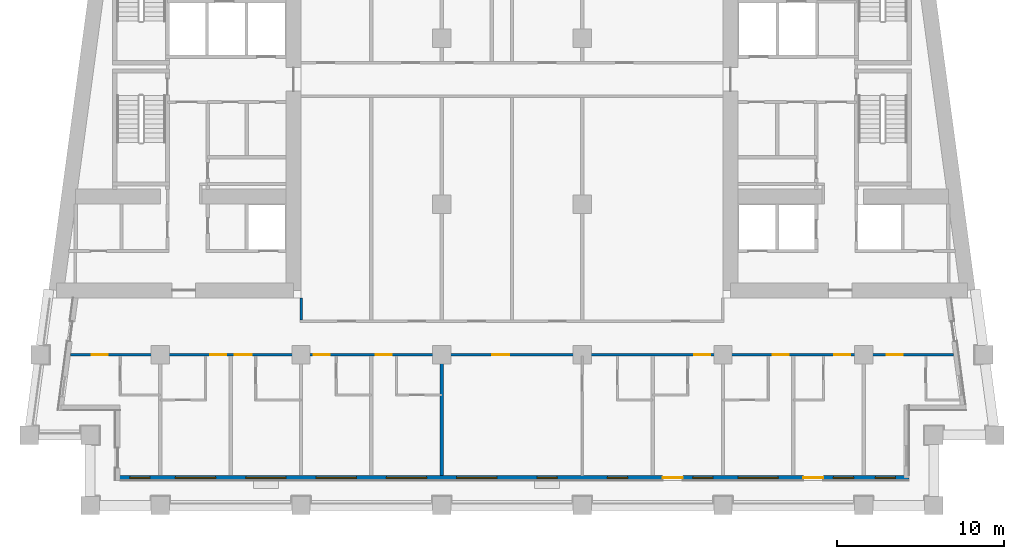
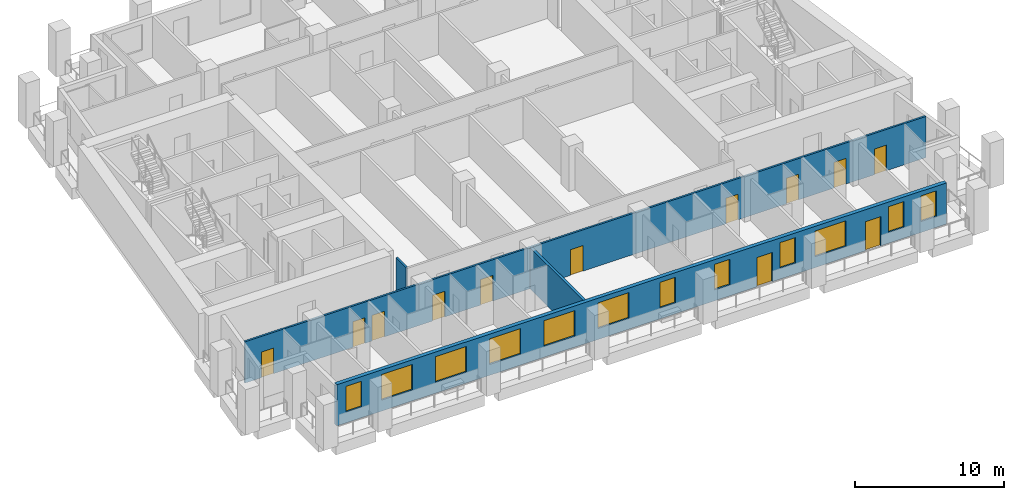
# One storey, part 3 of 14: 12 doors, 12 windows, 4 walls, 24 openings.
"""IFC4 building model written with IfcOpenShell, lengths in metres."""

from ifc_helpers import new_model, si_unit, direction, frame, frame_2d, origin, place, context, subcontext, project, spatial, rectangle, extrude, material, layer, layer_set, type_object, element, fill, save


model = new_model("IFC4")

# Units and contexts
model_context = context("Model", 3, precision=1e-05, world=origin(), true_north=direction((0.0, 1.0)))
body_context = subcontext(model_context, "Body", "Model", "MODEL_VIEW")
ifc_project = project(units=[si_unit("LENGTHUNIT", "METRE"), si_unit("AREAUNIT", "SQUARE_METRE"), si_unit("VOLUMEUNIT", "CUBIC_METRE"), si_unit("PLANEANGLEUNIT", "RADIAN"), si_unit("MASSUNIT", "GRAM", prefix="KILO")], contexts=[model_context])

# Site, building, storey
site_placement = place(None, origin())
site = spatial("IfcSite", under=ifc_project, at=site_placement, CompositionType="ELEMENT")
building_placement = place(site_placement, origin())
building = spatial("IfcBuilding", under=site, at=building_placement, Name="Candeia Pilgrim Tower and Theatre", CompositionType="ELEMENT")
storey_placement = place(building_placement, frame((0.0, 0.0, 173.699951171875)))
storey = spatial("IfcBuildingStorey", under=building, at=storey_placement, Name="L41", CompositionType="ELEMENT", Elevation=173.699951171875)

# Wall, openings, doors, windows
ifc_material_1 = material(Name="Ceramic block masonry", Category="masonry")
ifc_layer_1 = layer(ifc_material_1, 0.300048828125)
ifc_layer_set_1 = layer_set([ifc_layer_1], Name="EW1 glazing-line wall 300")
wall_type_1 = type_object("IfcWallType", Name="EW1 glazing-line wall 300", PredefinedType="SOLIDWALL", material=ifc_layer_set_1)
wall_1_placement = place(storey_placement, frame((89.85009765625, 99.64990234375, 0.0), z_axis=(0.0, 0.0, 1.0), x_axis=(1.0, 0.0, 0.0)))
wall_1 = element("IfcWall", 1, at=wall_1_placement, inside=storey, type_object=wall_type_1, Name="External wall L41-0.0", PredefinedType="SOLIDWALL", context=body_context, shape_type="SweptSolid", body=[
    extrude(rectangle(XDim=47.25, YDim=0.300048828125, at=frame_2d((23.625, 0.0))), origin(), (0.0, 0.0, 1.0), 3.380126953125),
])
opening_1_placement = place(wall_1_placement, frame((0.72509765625, 0.0, 0.89990234375)))
opening_1 = element("IfcOpeningElement", 2, at=opening_1_placement, cuts=wall_1, Name="Opening W-B", PredefinedType="OPENING", context=body_context, shape_type="SweptSolid", body=[
    extrude(rectangle(XDim=1.199951171875, YDim=2.10009765625, at=frame_2d((0.60009765625, 1.050048828125))), frame((0.0, 0.16015625, 0.0), z_axis=(0.0, -1.0, 0.0), x_axis=(1.0, 0.0, 0.0)), (0.0, 0.0, 1.0), 0.320068359375),
])
opening_2_placement = place(wall_1_placement, frame((3.449951171875, 0.0, 0.89990234375)))
opening_2 = element("IfcOpeningElement", 3, at=opening_2_placement, cuts=wall_1, Name="Opening W-A", PredefinedType="OPENING", context=body_context, shape_type="SweptSolid", body=[
    extrude(rectangle(XDim=2.39990234375, YDim=2.10009765625, at=frame_2d((1.199951171875, 1.050048828125))), frame((0.0, 0.16015625, 0.0), z_axis=(0.0, -1.0, 0.0), x_axis=(1.0, 0.0, 0.0)), (0.0, 0.0, 1.0), 0.320068359375),
])
opening_3_placement = place(wall_1_placement, frame((7.64990234375, 0.0, 0.89990234375)))
opening_3 = element("IfcOpeningElement", 4, at=opening_3_placement, cuts=wall_1, Name="Opening W-A", PredefinedType="OPENING", context=body_context, shape_type="SweptSolid", body=[
    extrude(rectangle(XDim=2.39990234375, YDim=2.10009765625, at=frame_2d((1.199951171875, 1.050048828125))), frame((0.0, 0.16015625, 0.0), z_axis=(0.0, -1.0, 0.0), x_axis=(1.0, 0.0, 0.0)), (0.0, 0.0, 1.0), 0.320068359375),
])
opening_4_placement = place(wall_1_placement, frame((11.85009765625, 0.0, 0.89990234375)))
opening_4 = element("IfcOpeningElement", 5, at=opening_4_placement, cuts=wall_1, Name="Opening W-A", PredefinedType="OPENING", context=body_context, shape_type="SweptSolid", body=[
    extrude(rectangle(XDim=2.39990234375, YDim=2.10009765625, at=frame_2d((1.199951171875, 1.050048828125))), frame((0.0, 0.16015625, 0.0), z_axis=(0.0, -1.0, 0.0), x_axis=(1.0, 0.0, 0.0)), (0.0, 0.0, 1.0), 0.320068359375),
])
opening_5_placement = place(wall_1_placement, frame((16.050048828125, 0.0, 0.89990234375)))
opening_5 = element("IfcOpeningElement", 6, at=opening_5_placement, cuts=wall_1, Name="Opening W-A", PredefinedType="OPENING", context=body_context, shape_type="SweptSolid", body=[
    extrude(rectangle(XDim=2.39990234375, YDim=2.10009765625, at=frame_2d((1.199951171875, 1.050048828125))), frame((0.0, 0.16015625, 0.0), z_axis=(0.0, -1.0, 0.0), x_axis=(1.0, 0.0, 0.0)), (0.0, 0.0, 1.0), 0.320068359375),
])
opening_6_placement = place(wall_1_placement, frame((20.25, 0.0, 0.89990234375)))
opening_6 = element("IfcOpeningElement", 7, at=opening_6_placement, cuts=wall_1, Name="Opening W-A", PredefinedType="OPENING", context=body_context, shape_type="SweptSolid", body=[
    extrude(rectangle(XDim=2.39990234375, YDim=2.10009765625, at=frame_2d((1.199951171875, 1.050048828125))), frame((0.0, 0.16015625, 0.0), z_axis=(0.0, -1.0, 0.0), x_axis=(1.0, 0.0, 0.0)), (0.0, 0.0, 1.0), 0.320068359375),
])
opening_7_placement = place(wall_1_placement, frame((25.050048828125, 0.0, 0.89990234375)))
opening_7 = element("IfcOpeningElement", 8, at=opening_7_placement, cuts=wall_1, Name="Opening W-B", PredefinedType="OPENING", context=body_context, shape_type="SweptSolid", body=[
    extrude(rectangle(XDim=1.199951171875, YDim=2.10009765625, at=frame_2d((0.60009765625, 1.050048828125))), frame((0.0, 0.16015625, 0.0), z_axis=(0.0, -1.0, 0.0), x_axis=(1.0, 0.0, 0.0)), (0.0, 0.0, 1.0), 0.320068359375),
])
opening_8_placement = place(wall_1_placement, frame((29.25, 0.0, 0.89990234375)))
opening_8 = element("IfcOpeningElement", 9, at=opening_8_placement, cuts=wall_1, Name="Opening W-B", PredefinedType="OPENING", context=body_context, shape_type="SweptSolid", body=[
    extrude(rectangle(XDim=1.199951171875, YDim=2.10009765625, at=frame_2d((0.60009765625, 1.050048828125))), frame((0.0, 0.16015625, 0.0), z_axis=(0.0, -1.0, 0.0), x_axis=(1.0, 0.0, 0.0)), (0.0, 0.0, 1.0), 0.320068359375),
])
opening_9_placement = place(wall_1_placement, frame((32.550048828125, 0.0, 0.0)))
opening_9 = element("IfcOpeningElement", 10, at=opening_9_placement, cuts=wall_1, Name="Opening L41-ED392", PredefinedType="OPENING", context=body_context, shape_type="SweptSolid", body=[
    extrude(rectangle(XDim=1.199951171875, YDim=2.39990234375, at=frame_2d((0.60009765625, 1.199951171875))), frame((0.0, 0.16015625, 0.0), z_axis=(0.0, -1.0, 0.0), x_axis=(1.0, 0.0, 0.0)), (0.0, 0.0, 1.0), 0.320068359375),
])
opening_10_placement = place(wall_1_placement, frame((34.35009765625, 0.0, 0.89990234375)))
opening_10 = element("IfcOpeningElement", 11, at=opening_10_placement, cuts=wall_1, Name="Opening W-B", PredefinedType="OPENING", context=body_context, shape_type="SweptSolid", body=[
    extrude(rectangle(XDim=1.199951171875, YDim=2.10009765625, at=frame_2d((0.60009765625, 1.050048828125))), frame((0.0, 0.16015625, 0.0), z_axis=(0.0, -1.0, 0.0), x_axis=(1.0, 0.0, 0.0)), (0.0, 0.0, 1.0), 0.320068359375),
])
opening_11_placement = place(wall_1_placement, frame((37.050048828125, 0.0, 0.89990234375)))
opening_11 = element("IfcOpeningElement", 12, at=opening_11_placement, cuts=wall_1, Name="Opening W-A", PredefinedType="OPENING", context=body_context, shape_type="SweptSolid", body=[
    extrude(rectangle(XDim=2.39990234375, YDim=2.10009765625, at=frame_2d((1.199951171875, 1.050048828125))), frame((0.0, 0.16015625, 0.0), z_axis=(0.0, -1.0, 0.0), x_axis=(1.0, 0.0, 0.0)), (0.0, 0.0, 1.0), 0.320068359375),
])
opening_12_placement = place(wall_1_placement, frame((40.949951171875, 0.0, 0.0)))
opening_12 = element("IfcOpeningElement", 13, at=opening_12_placement, cuts=wall_1, Name="Opening L41-ED393", PredefinedType="OPENING", context=body_context, shape_type="SweptSolid", body=[
    extrude(rectangle(XDim=1.199951171875, YDim=2.39990234375, at=frame_2d((0.60009765625, 1.199951171875))), frame((0.0, 0.16015625, 0.0), z_axis=(0.0, -1.0, 0.0), x_axis=(1.0, 0.0, 0.0)), (0.0, 0.0, 1.0), 0.320068359375),
])
opening_13_placement = place(wall_1_placement, frame((42.75, 0.0, 0.89990234375)))
opening_13 = element("IfcOpeningElement", 14, at=opening_13_placement, cuts=wall_1, Name="Opening W-B", PredefinedType="OPENING", context=body_context, shape_type="SweptSolid", body=[
    extrude(rectangle(XDim=1.199951171875, YDim=2.10009765625, at=frame_2d((0.60009765625, 1.050048828125))), frame((0.0, 0.16015625, 0.0), z_axis=(0.0, -1.0, 0.0), x_axis=(1.0, 0.0, 0.0)), (0.0, 0.0, 1.0), 0.320068359375),
])
opening_14_placement = place(wall_1_placement, frame((45.25, 0.0, 0.89990234375)))
opening_14 = element("IfcOpeningElement", 15, at=opening_14_placement, cuts=wall_1, Name="Opening W-B", PredefinedType="OPENING", context=body_context, shape_type="SweptSolid", body=[
    extrude(rectangle(XDim=1.199951171875, YDim=2.10009765625, at=frame_2d((0.60009765625, 1.050048828125))), frame((0.0, 0.16015625, 0.0), z_axis=(0.0, -1.0, 0.0), x_axis=(1.0, 0.0, 0.0)), (0.0, 0.0, 1.0), 0.320068359375),
])
ifc_material_2 = material(Name="Aluminium framed glazed door", Category="aluminium")
door_type_1 = type_object("IfcDoorType", Name="Loggia door 1200x2400", OperationType="DOUBLE_DOOR_SINGLE_SWING", PredefinedType="DOOR", material=ifc_material_2)
door_1_placement = place(opening_9_placement, origin())
door_1 = element("IfcDoor", 16, at=door_1_placement, inside=storey, type_object=door_type_1, Name="Loggia door L41-ED392", OperationType="DOUBLE_DOOR_SINGLE_SWING", OverallHeight=2.39990234375, OverallWidth=1.199951171875, PredefinedType="DOOR", context=body_context, shape_type="SweptSolid", body=[
    extrude(rectangle(XDim=1.199951171875, YDim=2.39990234375, at=frame_2d((0.60009765625, 1.199951171875))), frame((0.0, 0.02490234375, 0.0), z_axis=(0.0, -1.0, 0.0), x_axis=(1.0, 0.0, 0.0)), (0.0, 0.0, 1.0), 0.050048828125),
])
fill(opening_9, door_1)
door_2_placement = place(opening_12_placement, origin())
door_2 = element("IfcDoor", 17, at=door_2_placement, inside=storey, type_object=door_type_1, Name="Loggia door L41-ED393", OperationType="DOUBLE_DOOR_SINGLE_SWING", OverallHeight=2.39990234375, OverallWidth=1.199951171875, PredefinedType="DOOR", context=body_context, shape_type="SweptSolid", body=[
    extrude(rectangle(XDim=1.199951171875, YDim=2.39990234375, at=frame_2d((0.60009765625, 1.199951171875))), frame((0.0, 0.02490234375, 0.0), z_axis=(0.0, -1.0, 0.0), x_axis=(1.0, 0.0, 0.0)), (0.0, 0.0, 1.0), 0.050048828125),
])
fill(opening_12, door_2)
ifc_material_3 = material(Name="Aluminium framed double glazing", Category="aluminium")
window_type_1 = type_object("IfcWindowType", Name="W-A window 2400x2100", PartitioningType="DOUBLE_PANEL_VERTICAL", PredefinedType="WINDOW", material=ifc_material_3)
window_1_placement = place(opening_2_placement, origin())
window_1 = element("IfcWindow", 18, at=window_1_placement, inside=storey, type_object=window_type_1, Name="Window W-A L41", OverallHeight=2.10009765625, OverallWidth=2.39990234375, PartitioningType="SINGLE_PANEL", PredefinedType="WINDOW", context=body_context, shape_type="SweptSolid", body=[
    extrude(rectangle(XDim=2.39990234375, YDim=2.10009765625, at=frame_2d((1.199951171875, 1.050048828125))), frame((0.0, 0.030029296875, 0.0), z_axis=(0.0, -1.0, 0.0), x_axis=(1.0, 0.0, 0.0)), (0.0, 0.0, 1.0), 0.06005859375),
])
fill(opening_2, window_1)
window_2_placement = place(opening_3_placement, origin())
window_2 = element("IfcWindow", 19, at=window_2_placement, inside=storey, type_object=window_type_1, Name="Window W-A L41", OverallHeight=2.10009765625, OverallWidth=2.39990234375, PartitioningType="SINGLE_PANEL", PredefinedType="WINDOW", context=body_context, shape_type="SweptSolid", body=[
    extrude(rectangle(XDim=2.39990234375, YDim=2.10009765625, at=frame_2d((1.199951171875, 1.050048828125))), frame((0.0, 0.030029296875, 0.0), z_axis=(0.0, -1.0, 0.0), x_axis=(1.0, 0.0, 0.0)), (0.0, 0.0, 1.0), 0.06005859375),
])
fill(opening_3, window_2)
window_3_placement = place(opening_4_placement, origin())
window_3 = element("IfcWindow", 20, at=window_3_placement, inside=storey, type_object=window_type_1, Name="Window W-A L41", OverallHeight=2.10009765625, OverallWidth=2.39990234375, PartitioningType="SINGLE_PANEL", PredefinedType="WINDOW", context=body_context, shape_type="SweptSolid", body=[
    extrude(rectangle(XDim=2.39990234375, YDim=2.10009765625, at=frame_2d((1.199951171875, 1.050048828125))), frame((0.0, 0.030029296875, 0.0), z_axis=(0.0, -1.0, 0.0), x_axis=(1.0, 0.0, 0.0)), (0.0, 0.0, 1.0), 0.06005859375),
])
fill(opening_4, window_3)
window_4_placement = place(opening_5_placement, origin())
window_4 = element("IfcWindow", 21, at=window_4_placement, inside=storey, type_object=window_type_1, Name="Window W-A L41", OverallHeight=2.10009765625, OverallWidth=2.39990234375, PartitioningType="SINGLE_PANEL", PredefinedType="WINDOW", context=body_context, shape_type="SweptSolid", body=[
    extrude(rectangle(XDim=2.39990234375, YDim=2.10009765625, at=frame_2d((1.199951171875, 1.050048828125))), frame((0.0, 0.030029296875, 0.0), z_axis=(0.0, -1.0, 0.0), x_axis=(1.0, 0.0, 0.0)), (0.0, 0.0, 1.0), 0.06005859375),
])
fill(opening_5, window_4)
window_5_placement = place(opening_6_placement, origin())
window_5 = element("IfcWindow", 22, at=window_5_placement, inside=storey, type_object=window_type_1, Name="Window W-A L41", OverallHeight=2.10009765625, OverallWidth=2.39990234375, PartitioningType="SINGLE_PANEL", PredefinedType="WINDOW", context=body_context, shape_type="SweptSolid", body=[
    extrude(rectangle(XDim=2.39990234375, YDim=2.10009765625, at=frame_2d((1.199951171875, 1.050048828125))), frame((0.0, 0.030029296875, 0.0), z_axis=(0.0, -1.0, 0.0), x_axis=(1.0, 0.0, 0.0)), (0.0, 0.0, 1.0), 0.06005859375),
])
fill(opening_6, window_5)
window_6_placement = place(opening_11_placement, origin())
window_6 = element("IfcWindow", 23, at=window_6_placement, inside=storey, type_object=window_type_1, Name="Window W-A L41", OverallHeight=2.10009765625, OverallWidth=2.39990234375, PartitioningType="SINGLE_PANEL", PredefinedType="WINDOW", context=body_context, shape_type="SweptSolid", body=[
    extrude(rectangle(XDim=2.39990234375, YDim=2.10009765625, at=frame_2d((1.199951171875, 1.050048828125))), frame((0.0, 0.030029296875, 0.0), z_axis=(0.0, -1.0, 0.0), x_axis=(1.0, 0.0, 0.0)), (0.0, 0.0, 1.0), 0.06005859375),
])
fill(opening_11, window_6)
window_type_2 = type_object("IfcWindowType", Name="W-B window 1200x2100", PartitioningType="SINGLE_PANEL", PredefinedType="WINDOW", material=ifc_material_3)
window_7_placement = place(opening_1_placement, origin())
window_7 = element("IfcWindow", 24, at=window_7_placement, inside=storey, type_object=window_type_2, Name="Window W-B L41", OverallHeight=2.10009765625, OverallWidth=1.199951171875, PartitioningType="SINGLE_PANEL", PredefinedType="WINDOW", context=body_context, shape_type="SweptSolid", body=[
    extrude(rectangle(XDim=1.199951171875, YDim=2.10009765625, at=frame_2d((0.60009765625, 1.050048828125))), frame((0.0, 0.030029296875, 0.0), z_axis=(0.0, -1.0, 0.0), x_axis=(1.0, 0.0, 0.0)), (0.0, 0.0, 1.0), 0.06005859375),
])
fill(opening_1, window_7)
window_8_placement = place(opening_7_placement, origin())
window_8 = element("IfcWindow", 25, at=window_8_placement, inside=storey, type_object=window_type_2, Name="Window W-B L41", OverallHeight=2.10009765625, OverallWidth=1.199951171875, PartitioningType="SINGLE_PANEL", PredefinedType="WINDOW", context=body_context, shape_type="SweptSolid", body=[
    extrude(rectangle(XDim=1.199951171875, YDim=2.10009765625, at=frame_2d((0.60009765625, 1.050048828125))), frame((0.0, 0.030029296875, 0.0), z_axis=(0.0, -1.0, 0.0), x_axis=(1.0, 0.0, 0.0)), (0.0, 0.0, 1.0), 0.06005859375),
])
fill(opening_7, window_8)
window_9_placement = place(opening_8_placement, origin())
window_9 = element("IfcWindow", 26, at=window_9_placement, inside=storey, type_object=window_type_2, Name="Window W-B L41", OverallHeight=2.10009765625, OverallWidth=1.199951171875, PartitioningType="SINGLE_PANEL", PredefinedType="WINDOW", context=body_context, shape_type="SweptSolid", body=[
    extrude(rectangle(XDim=1.199951171875, YDim=2.10009765625, at=frame_2d((0.60009765625, 1.050048828125))), frame((0.0, 0.030029296875, 0.0), z_axis=(0.0, -1.0, 0.0), x_axis=(1.0, 0.0, 0.0)), (0.0, 0.0, 1.0), 0.06005859375),
])
fill(opening_8, window_9)
window_10_placement = place(opening_10_placement, origin())
window_10 = element("IfcWindow", 27, at=window_10_placement, inside=storey, type_object=window_type_2, Name="Window W-B L41", OverallHeight=2.10009765625, OverallWidth=1.199951171875, PartitioningType="SINGLE_PANEL", PredefinedType="WINDOW", context=body_context, shape_type="SweptSolid", body=[
    extrude(rectangle(XDim=1.199951171875, YDim=2.10009765625, at=frame_2d((0.60009765625, 1.050048828125))), frame((0.0, 0.030029296875, 0.0), z_axis=(0.0, -1.0, 0.0), x_axis=(1.0, 0.0, 0.0)), (0.0, 0.0, 1.0), 0.06005859375),
])
fill(opening_10, window_10)
window_11_placement = place(opening_13_placement, origin())
window_11 = element("IfcWindow", 28, at=window_11_placement, inside=storey, type_object=window_type_2, Name="Window W-B L41", OverallHeight=2.10009765625, OverallWidth=1.199951171875, PartitioningType="SINGLE_PANEL", PredefinedType="WINDOW", context=body_context, shape_type="SweptSolid", body=[
    extrude(rectangle(XDim=1.199951171875, YDim=2.10009765625, at=frame_2d((0.60009765625, 1.050048828125))), frame((0.0, 0.030029296875, 0.0), z_axis=(0.0, -1.0, 0.0), x_axis=(1.0, 0.0, 0.0)), (0.0, 0.0, 1.0), 0.06005859375),
])
fill(opening_13, window_11)
window_12_placement = place(opening_14_placement, origin())
window_12 = element("IfcWindow", 29, at=window_12_placement, inside=storey, type_object=window_type_2, Name="Window W-B L41", OverallHeight=2.10009765625, OverallWidth=1.199951171875, PartitioningType="SINGLE_PANEL", PredefinedType="WINDOW", context=body_context, shape_type="SweptSolid", body=[
    extrude(rectangle(XDim=1.199951171875, YDim=2.10009765625, at=frame_2d((0.60009765625, 1.050048828125))), frame((0.0, 0.030029296875, 0.0), z_axis=(0.0, -1.0, 0.0), x_axis=(1.0, 0.0, 0.0)), (0.0, 0.0, 1.0), 0.06005859375),
])
fill(opening_14, window_12)

# Wall, openings, doors
ifc_material_4 = material(Name="Gypsum board partition on steel studs", Category="steel")
ifc_layer_2 = layer(ifc_material_4, 0.14990234375)
ifc_layer_set_2 = layer_set([ifc_layer_2], Name="PW-150 unit wall")
wall_type_2 = type_object("IfcWallType", Name="PW-150 unit wall", PredefinedType="PARTITIONING", material=ifc_layer_set_2)
wall_2_placement = place(storey_placement, frame((87.017578125, 107.0, 0.0), z_axis=(0.0, 0.0, 1.0), x_axis=(1.0, 0.0, 0.0)))
wall_2 = element("IfcWall", 30, at=wall_2_placement, inside=storey, type_object=wall_type_2, Name="Unit wall L41-011", PredefinedType="PARTITIONING", context=body_context, shape_type="SweptSolid", body=[
    extrude(rectangle(XDim=52.7646484375, YDim=0.14990234375, at=frame_2d((26.38232421875, 0.0))), origin(), (0.0, 0.0, 1.0), 3.380126953125),
])
opening_15_placement = place(wall_2_placement, frame((1.2763671875, 0.0, 0.0)))
opening_15 = element("IfcOpeningElement", 31, at=opening_15_placement, cuts=wall_2, Name="Opening L41-D017", PredefinedType="OPENING", context=body_context, shape_type="SweptSolid", body=[
    extrude(rectangle(XDim=0.949951171875, YDim=2.10009765625, at=frame_2d((0.47509765625, 1.050048828125))), frame((0.0, 0.0849609375, 0.0), z_axis=(0.0, -1.0, 0.0), x_axis=(1.0, 0.0, 0.0)), (0.0, 0.0, 1.0), 0.169921875),
])
opening_16_placement = place(wall_2_placement, frame((8.357421875, 0.0, 0.0)))
opening_16 = element("IfcOpeningElement", 32, at=opening_16_placement, cuts=wall_2, Name="Opening L41-D019", PredefinedType="OPENING", context=body_context, shape_type="SweptSolid", body=[
    extrude(rectangle(XDim=0.949951171875, YDim=2.10009765625, at=frame_2d((0.47509765625, 1.050048828125))), frame((0.0, 0.0849609375, 0.0), z_axis=(0.0, -1.0, 0.0), x_axis=(1.0, 0.0, 0.0)), (0.0, 0.0, 1.0), 0.169921875),
])
opening_17_placement = place(wall_2_placement, frame((9.832275390625, 0.0, 0.0)))
opening_17 = element("IfcOpeningElement", 33, at=opening_17_placement, cuts=wall_2, Name="Opening L41-D021", PredefinedType="OPENING", context=body_context, shape_type="SweptSolid", body=[
    extrude(rectangle(XDim=1.0, YDim=2.10009765625, at=frame_2d((0.5, 1.050048828125))), frame((0.0, 0.0849609375, 0.0), z_axis=(0.0, -1.0, 0.0), x_axis=(1.0, 0.0, 0.0)), (0.0, 0.0, 1.0), 0.169921875),
])
opening_18_placement = place(wall_2_placement, frame((14.54736328125, 0.0, 0.0)))
opening_18 = element("IfcOpeningElement", 34, at=opening_18_placement, cuts=wall_2, Name="Opening L41-D023", PredefinedType="OPENING", context=body_context, shape_type="SweptSolid", body=[
    extrude(rectangle(XDim=0.949951171875, YDim=2.10009765625, at=frame_2d((0.47509765625, 1.050048828125))), frame((0.0, 0.0849609375, 0.0), z_axis=(0.0, -1.0, 0.0), x_axis=(1.0, 0.0, 0.0)), (0.0, 0.0, 1.0), 0.169921875),
])
opening_19_placement = place(wall_2_placement, frame((18.25732421875, 0.0, 0.0)))
opening_19 = element("IfcOpeningElement", 35, at=opening_19_placement, cuts=wall_2, Name="Opening L41-D025", PredefinedType="OPENING", context=body_context, shape_type="SweptSolid", body=[
    extrude(rectangle(XDim=0.949951171875, YDim=2.10009765625, at=frame_2d((0.47509765625, 1.050048828125))), frame((0.0, 0.0849609375, 0.0), z_axis=(0.0, -1.0, 0.0), x_axis=(1.0, 0.0, 0.0)), (0.0, 0.0, 1.0), 0.169921875),
])
opening_20_placement = place(wall_2_placement, frame((25.21240234375, 0.0, 0.0)))
opening_20 = element("IfcOpeningElement", 36, at=opening_20_placement, cuts=wall_2, Name="Opening L41-D027", PredefinedType="OPENING", context=body_context, shape_type="SweptSolid", body=[
    extrude(rectangle(XDim=1.0, YDim=2.10009765625, at=frame_2d((0.5, 1.050048828125))), frame((0.0, 0.0849609375, 0.0), z_axis=(0.0, -1.0, 0.0), x_axis=(1.0, 0.0, 0.0)), (0.0, 0.0, 1.0), 0.169921875),
])
opening_21_placement = place(wall_2_placement, frame((37.267333984375, 0.0, 0.0)))
opening_21 = element("IfcOpeningElement", 37, at=opening_21_placement, cuts=wall_2, Name="Opening L41-D030", PredefinedType="OPENING", context=body_context, shape_type="SweptSolid", body=[
    extrude(rectangle(XDim=0.949951171875, YDim=2.10009765625, at=frame_2d((0.47509765625, 1.050048828125))), frame((0.0, 0.0849609375, 0.0), z_axis=(0.0, -1.0, 0.0), x_axis=(1.0, 0.0, 0.0)), (0.0, 0.0, 1.0), 0.169921875),
])
opening_22_placement = place(wall_2_placement, frame((41.957275390625, 0.0, 0.0)))
opening_22 = element("IfcOpeningElement", 38, at=opening_22_placement, cuts=wall_2, Name="Opening L41-D032", PredefinedType="OPENING", context=body_context, shape_type="SweptSolid", body=[
    extrude(rectangle(XDim=0.949951171875, YDim=2.10009765625, at=frame_2d((0.47509765625, 1.050048828125))), frame((0.0, 0.0849609375, 0.0), z_axis=(0.0, -1.0, 0.0), x_axis=(1.0, 0.0, 0.0)), (0.0, 0.0, 1.0), 0.169921875),
])
opening_23_placement = place(wall_2_placement, frame((45.63232421875, 0.0, 0.0)))
opening_23 = element("IfcOpeningElement", 39, at=opening_23_placement, cuts=wall_2, Name="Opening L41-D034", PredefinedType="OPENING", context=body_context, shape_type="SweptSolid", body=[
    extrude(rectangle(XDim=0.949951171875, YDim=2.10009765625, at=frame_2d((0.47509765625, 1.050048828125))), frame((0.0, 0.0849609375, 0.0), z_axis=(0.0, -1.0, 0.0), x_axis=(1.0, 0.0, 0.0)), (0.0, 0.0, 1.0), 0.169921875),
])
opening_24_placement = place(wall_2_placement, frame((48.767333984375, 0.0, 0.0)))
opening_24 = element("IfcOpeningElement", 40, at=opening_24_placement, cuts=wall_2, Name="Opening L41-D036", PredefinedType="OPENING", context=body_context, shape_type="SweptSolid", body=[
    extrude(rectangle(XDim=0.949951171875, YDim=2.10009765625, at=frame_2d((0.47509765625, 1.050048828125))), frame((0.0, 0.0849609375, 0.0), z_axis=(0.0, -1.0, 0.0), x_axis=(1.0, 0.0, 0.0)), (0.0, 0.0, 1.0), 0.169921875),
])
ifc_material_5 = material(Name="Steel fire door set", Category="steel")
door_type_2 = type_object("IfcDoorType", Name="D-1000-FD30S", OperationType="NOTDEFINED", PredefinedType="DOOR", material=ifc_material_5)
door_3_placement = place(opening_17_placement, origin())
door_3 = element("IfcDoor", 41, at=door_3_placement, inside=storey, type_object=door_type_2, Name="Door L41-D021", OperationType="SINGLE_SWING_RIGHT", OverallHeight=2.10009765625, OverallWidth=1.0, PredefinedType="DOOR", context=body_context, shape_type="SweptSolid", body=[
    extrude(rectangle(XDim=1.0, YDim=2.10009765625, at=frame_2d((0.5, 1.050048828125))), frame((0.0, 0.02490234375, 0.0), z_axis=(0.0, -1.0, 0.0), x_axis=(1.0, 0.0, 0.0)), (0.0, 0.0, 1.0), 0.050048828125),
])
fill(opening_17, door_3)
door_4_placement = place(opening_20_placement, origin())
door_4 = element("IfcDoor", 42, at=door_4_placement, inside=storey, type_object=door_type_2, Name="Door L41-D027", OperationType="SINGLE_SWING_RIGHT", OverallHeight=2.10009765625, OverallWidth=1.0, PredefinedType="DOOR", context=body_context, shape_type="SweptSolid", body=[
    extrude(rectangle(XDim=1.0, YDim=2.10009765625, at=frame_2d((0.5, 1.050048828125))), frame((0.0, 0.02490234375, 0.0), z_axis=(0.0, -1.0, 0.0), x_axis=(1.0, 0.0, 0.0)), (0.0, 0.0, 1.0), 0.050048828125),
])
fill(opening_20, door_4)
door_type_3 = type_object("IfcDoorType", Name="D-950-FD30S", OperationType="NOTDEFINED", PredefinedType="DOOR", material=ifc_material_5)
door_5_placement = place(opening_15_placement, origin())
door_5 = element("IfcDoor", 43, at=door_5_placement, inside=storey, type_object=door_type_3, Name="Door L41-D017", OperationType="SINGLE_SWING_RIGHT", OverallHeight=2.10009765625, OverallWidth=0.949951171875, PredefinedType="DOOR", context=body_context, shape_type="SweptSolid", body=[
    extrude(rectangle(XDim=0.949951171875, YDim=2.10009765625, at=frame_2d((0.47509765625, 1.050048828125))), frame((0.0, 0.02490234375, 0.0), z_axis=(0.0, -1.0, 0.0), x_axis=(1.0, 0.0, 0.0)), (0.0, 0.0, 1.0), 0.050048828125),
])
fill(opening_15, door_5)
door_6_placement = place(opening_16_placement, origin())
door_6 = element("IfcDoor", 44, at=door_6_placement, inside=storey, type_object=door_type_3, Name="Door L41-D019", OperationType="SINGLE_SWING_RIGHT", OverallHeight=2.10009765625, OverallWidth=0.949951171875, PredefinedType="DOOR", context=body_context, shape_type="SweptSolid", body=[
    extrude(rectangle(XDim=0.949951171875, YDim=2.10009765625, at=frame_2d((0.47509765625, 1.050048828125))), frame((0.0, 0.02490234375, 0.0), z_axis=(0.0, -1.0, 0.0), x_axis=(1.0, 0.0, 0.0)), (0.0, 0.0, 1.0), 0.050048828125),
])
fill(opening_16, door_6)
door_7_placement = place(opening_18_placement, origin())
door_7 = element("IfcDoor", 45, at=door_7_placement, inside=storey, type_object=door_type_3, Name="Door L41-D023", OperationType="SINGLE_SWING_RIGHT", OverallHeight=2.10009765625, OverallWidth=0.949951171875, PredefinedType="DOOR", context=body_context, shape_type="SweptSolid", body=[
    extrude(rectangle(XDim=0.949951171875, YDim=2.10009765625, at=frame_2d((0.47509765625, 1.050048828125))), frame((0.0, 0.02490234375, 0.0), z_axis=(0.0, -1.0, 0.0), x_axis=(1.0, 0.0, 0.0)), (0.0, 0.0, 1.0), 0.050048828125),
])
fill(opening_18, door_7)
door_8_placement = place(opening_19_placement, origin())
door_8 = element("IfcDoor", 46, at=door_8_placement, inside=storey, type_object=door_type_3, Name="Door L41-D025", OperationType="SINGLE_SWING_RIGHT", OverallHeight=2.10009765625, OverallWidth=0.949951171875, PredefinedType="DOOR", context=body_context, shape_type="SweptSolid", body=[
    extrude(rectangle(XDim=0.949951171875, YDim=2.10009765625, at=frame_2d((0.47509765625, 1.050048828125))), frame((0.0, 0.02490234375, 0.0), z_axis=(0.0, -1.0, 0.0), x_axis=(1.0, 0.0, 0.0)), (0.0, 0.0, 1.0), 0.050048828125),
])
fill(opening_19, door_8)
door_9_placement = place(opening_21_placement, origin())
door_9 = element("IfcDoor", 47, at=door_9_placement, inside=storey, type_object=door_type_3, Name="Door L41-D030", OperationType="SINGLE_SWING_LEFT", OverallHeight=2.10009765625, OverallWidth=0.949951171875, PredefinedType="DOOR", context=body_context, shape_type="SweptSolid", body=[
    extrude(rectangle(XDim=0.949951171875, YDim=2.10009765625, at=frame_2d((0.47509765625, 1.050048828125))), frame((0.0, 0.02490234375, 0.0), z_axis=(0.0, -1.0, 0.0), x_axis=(1.0, 0.0, 0.0)), (0.0, 0.0, 1.0), 0.050048828125),
])
fill(opening_21, door_9)
door_10_placement = place(opening_22_placement, origin())
door_10 = element("IfcDoor", 48, at=door_10_placement, inside=storey, type_object=door_type_3, Name="Door L41-D032", OperationType="SINGLE_SWING_LEFT", OverallHeight=2.10009765625, OverallWidth=0.949951171875, PredefinedType="DOOR", context=body_context, shape_type="SweptSolid", body=[
    extrude(rectangle(XDim=0.949951171875, YDim=2.10009765625, at=frame_2d((0.47509765625, 1.050048828125))), frame((0.0, 0.02490234375, 0.0), z_axis=(0.0, -1.0, 0.0), x_axis=(1.0, 0.0, 0.0)), (0.0, 0.0, 1.0), 0.050048828125),
])
fill(opening_22, door_10)
door_11_placement = place(opening_23_placement, origin())
door_11 = element("IfcDoor", 49, at=door_11_placement, inside=storey, type_object=door_type_3, Name="Door L41-D034", OperationType="SINGLE_SWING_LEFT", OverallHeight=2.10009765625, OverallWidth=0.949951171875, PredefinedType="DOOR", context=body_context, shape_type="SweptSolid", body=[
    extrude(rectangle(XDim=0.949951171875, YDim=2.10009765625, at=frame_2d((0.47509765625, 1.050048828125))), frame((0.0, 0.02490234375, 0.0), z_axis=(0.0, -1.0, 0.0), x_axis=(1.0, 0.0, 0.0)), (0.0, 0.0, 1.0), 0.050048828125),
])
fill(opening_23, door_11)
door_12_placement = place(opening_24_placement, origin())
door_12 = element("IfcDoor", 50, at=door_12_placement, inside=storey, type_object=door_type_3, Name="Door L41-D036", OperationType="SINGLE_SWING_LEFT", OverallHeight=2.10009765625, OverallWidth=0.949951171875, PredefinedType="DOOR", context=body_context, shape_type="SweptSolid", body=[
    extrude(rectangle(XDim=0.949951171875, YDim=2.10009765625, at=frame_2d((0.47509765625, 1.050048828125))), frame((0.0, 0.02490234375, 0.0), z_axis=(0.0, -1.0, 0.0), x_axis=(1.0, 0.0, 0.0)), (0.0, 0.0, 1.0), 0.050048828125),
])
fill(opening_24, door_12)

# Walls
wall_3_placement = place(storey_placement, frame((100.800048828125, 109.074951171875, 0.0), z_axis=(0.0, 0.0, 1.0), x_axis=(0.0, 1.0, 0.0)))
element("IfcWall", 51, at=wall_3_placement, inside=storey, type_object=wall_type_2, Name="Unit wall L41-078", PredefinedType="PARTITIONING", context=body_context, shape_type="SweptSolid", body=[
    extrude(rectangle(XDim=1.324951171875, YDim=0.14990234375, at=frame_2d((0.66259765625, 0.0))), origin(), (0.0, 0.0, 1.0), 3.380126953125),
])
ifc_layer_3 = layer(ifc_material_4, 0.199951171875)
ifc_layer_set_3 = layer_set([ifc_layer_3], Name="PW-200 party wall")
wall_type_3 = type_object("IfcWallType", Name="PW-200 party wall", PredefinedType="PARTITIONING", material=ifc_layer_set_3)
wall_4_placement = place(storey_placement, frame((109.199951171875, 99.7900390625, 0.0), z_axis=(0.0, 0.0, 1.0), x_axis=(0.0, 1.0, 0.0)))
element("IfcWall", 52, at=wall_4_placement, inside=storey, type_object=wall_type_3, Name="Party wall L41-086", PredefinedType="PARTITIONING", context=body_context, shape_type="SweptSolid", body=[
    extrude(rectangle(XDim=7.135009765625, YDim=0.199951171875, at=frame_2d((3.5673828125, 0.0))), origin(), (0.0, 0.0, 1.0), 3.380126953125),
])

save(model, "model.ifc")
